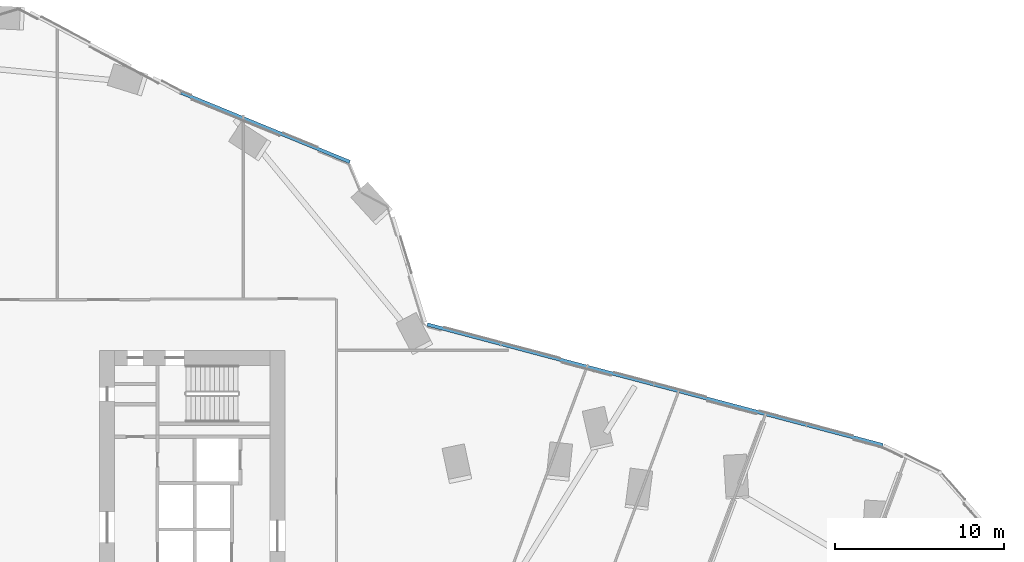
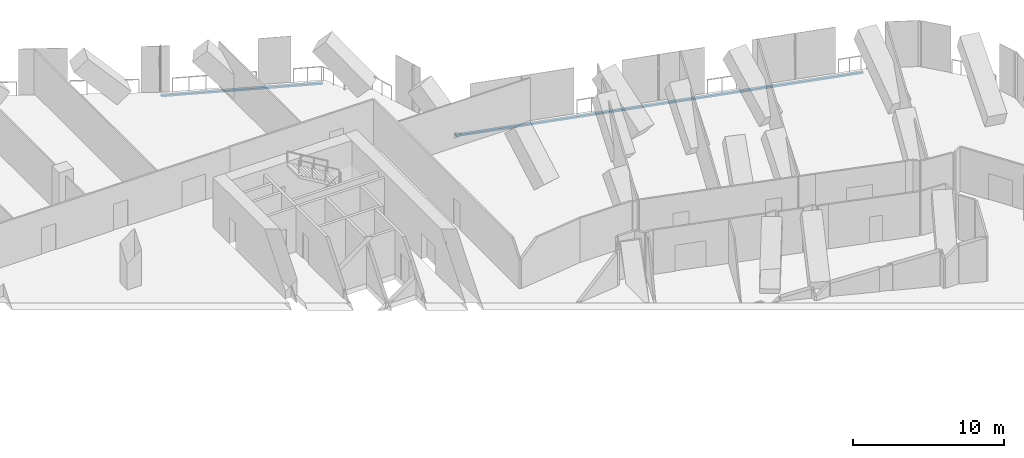
# One storey, part 15 of 34: 2 members, 2 elements without a shape of their own.
"""IFC4 building model written with IfcOpenShell, lengths in metres."""

from ifc_helpers import new_model, si_unit, direction, frame, origin, origin_2d, place, context, subcontext, project, spatial, rectangle, extrude, material, material_profile, profile_set, type_object, element, aggregate, save


model = new_model("IFC4")

# Units and contexts
model_context = context("Model", 3, precision=1e-05, world=origin(), true_north=direction((0.0, 1.0)))
body_context = subcontext(model_context, "Body", "Model", "MODEL_VIEW")
ifc_project = project(units=[si_unit("LENGTHUNIT", "METRE"), si_unit("AREAUNIT", "SQUARE_METRE"), si_unit("VOLUMEUNIT", "CUBIC_METRE"), si_unit("PLANEANGLEUNIT", "RADIAN"), si_unit("MASSUNIT", "GRAM", prefix="KILO")], contexts=[model_context])

# Site, building, storey
site_placement = place(None, origin())
site = spatial("IfcSite", under=ifc_project, at=site_placement, CompositionType="ELEMENT")
building_placement = place(site_placement, origin())
building = spatial("IfcBuilding", under=site, at=building_placement, Name="Orlundy Tower", CompositionType="ELEMENT")
storey_placement = place(building_placement, frame((0.0, 0.0, 98.199951171875)))
storey = spatial("IfcBuildingStorey", under=building, at=storey_placement, Name="L24", CompositionType="ELEMENT", Elevation=98.199951171875)

# Curtain wall, member
ifc_material_1 = material(Name="Aluminium bronze anodised", Category="aluminium")
curtain_wall_type = type_object("IfcCurtainWallType", Name="CW5 wall", PredefinedType="NOTDEFINED", material=ifc_material_1)
curtain_wall_1_placement = place(storey_placement, origin())
curtain_wall_1 = element("IfcCurtainWall", 1, at=curtain_wall_1_placement, inside=storey, type_object=curtain_wall_type, Name="CW5 run 025", PredefinedType="NOTDEFINED")
ifc_material_2 = material(Name="Aluminium bronze anodised", Category="aluminium")
ifc_material_profile = material_profile(ifc_material_2, rectangle(XDim=0.199951171875, YDim=0.139892578125, at=origin_2d()), Name="CW5 transom 200x140")
ifc_profile_set = profile_set([ifc_material_profile], Name="Aluminium bronze anodised")
member_type = type_object("IfcMemberType", Name="CW5 transom 200x140", PredefinedType="USERDEFINED", material=ifc_profile_set)
member_1_placement = place(storey_placement, frame((12.835693359375, 27.26806640625, -0.329833984375), z_axis=(0.924991482841, -0.379987837531, 0.0), x_axis=(0.379987837531, 0.924991482841, 0.0)))
member_1 = element("IfcMember", 2, at=member_1_placement, type_object=member_type, Name="CW5 transom", ObjectType="TRANSOM", PredefinedType="USERDEFINED", context=body_context, shape_type="SweptSolid", body=[
    extrude(rectangle(XDim=0.199951171875, YDim=0.139892578125, at=origin_2d()), origin(), (0.0, 0.0, 1.0), 10.815185546875),
])
aggregate(curtain_wall_1, [member_1])

curtain_wall_2_placement = place(storey_placement, origin())
curtain_wall_2 = element("IfcCurtainWall", 3, at=curtain_wall_2_placement, inside=storey, type_object=curtain_wall_type, Name="CW5 run 029", PredefinedType="NOTDEFINED")
member_2_placement = place(storey_placement, frame((27.427978515625, 13.52978515625, -0.329833984375), z_axis=(0.966669737345, -0.256026598036, 0.0), x_axis=(0.256026598036, 0.966669737345, 0.0)))
member_2 = element("IfcMember", 4, at=member_2_placement, type_object=member_type, Name="CW5 transom", ObjectType="TRANSOM", PredefinedType="USERDEFINED", context=body_context, shape_type="SweptSolid", body=[
    extrude(rectangle(XDim=0.199951171875, YDim=0.139892578125, at=origin_2d()), origin(), (0.0, 0.0, 1.0), 27.93505859375),
])
aggregate(curtain_wall_2, [member_2])

save(model, "model.ifc")
